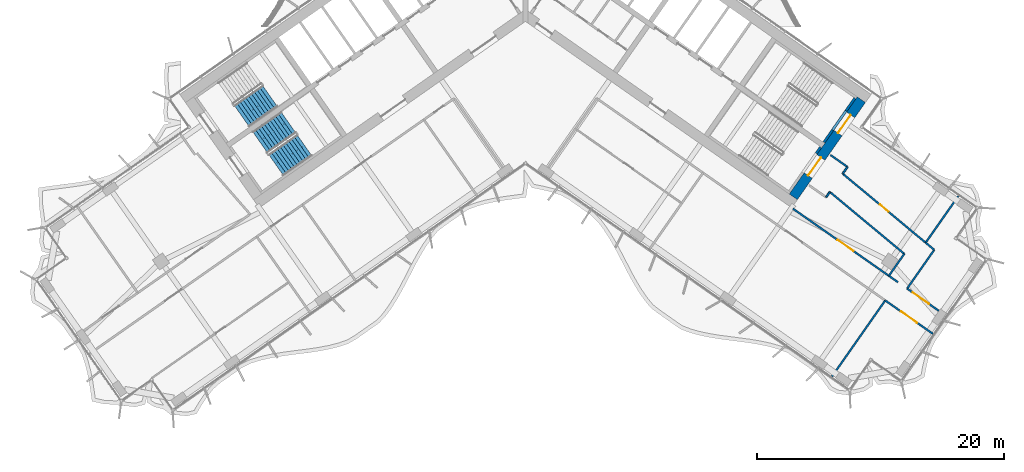
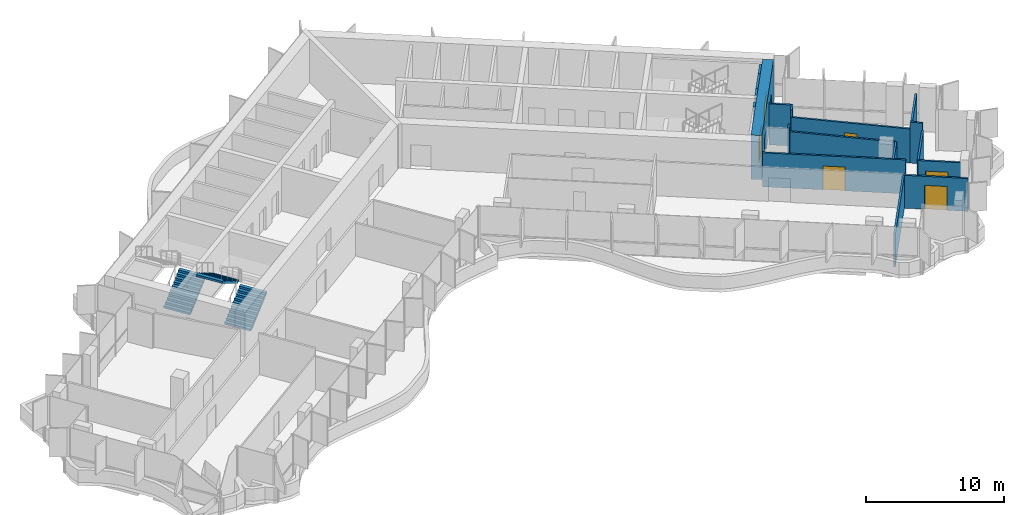
# One storey, part 15 of 21: 18 walls, 6 doors, 3 stair flights, 6 openings, 2 elements without a shape of their own.
"""IFC4 building model written with IfcOpenShell, lengths in metres."""

from ifc_helpers import new_model, si_unit, direction, frame, frame_2d, origin, place, context, subcontext, project, spatial, polyline, rectangle, outline, extrude, material, layer, layer_set, type_object, element, fill, aggregate, save


model = new_model("IFC4")

# Units and contexts
model_context = context("Model", 3, precision=1e-05, world=origin(), true_north=direction((0.0, 1.0)))
body_context = subcontext(model_context, "Body", "Model", "MODEL_VIEW")
ifc_project = project(units=[si_unit("LENGTHUNIT", "METRE"), si_unit("AREAUNIT", "SQUARE_METRE"), si_unit("VOLUMEUNIT", "CUBIC_METRE"), si_unit("PLANEANGLEUNIT", "RADIAN"), si_unit("MASSUNIT", "GRAM", prefix="KILO")], contexts=[model_context])

# Site, building, storey
site_placement = place(None, origin())
site = spatial("IfcSite", under=ifc_project, at=site_placement, CompositionType="ELEMENT")
building_placement = place(site_placement, origin())
building = spatial("IfcBuilding", under=site, at=building_placement, Name="Tel Ilan Convention Tower", CompositionType="ELEMENT")
storey_placement = place(building_placement, frame((0.0, 0.0, 151.5)))
storey = spatial("IfcBuildingStorey", under=building, at=storey_placement, Name="L34", CompositionType="ELEMENT", Elevation=151.5)

# Wall, openings, doors
ifc_material_1 = material(Name="Concrete C50/60", Category="concrete")
ifc_layer_1 = layer(ifc_material_1, 0.800048828125)
ifc_layer_set_1 = layer_set([ifc_layer_1], Name="Core Shear Wall 800 mm C50/60")
wall_type_1 = type_object("IfcWallType", Name="Core Shear Wall 800 mm C50/60", PredefinedType="SHEAR", material=ifc_layer_set_1)
wall_1_placement = place(storey_placement, frame((21.6748046875, -15.4208984375, 0.0), z_axis=(0.0, 0.0, 1.0), x_axis=(0.573581815061, 0.819148278049, 0.0)))
wall_1 = element("IfcWall", 1, at=wall_1_placement, inside=storey, type_object=wall_type_1, Name="L34 core wall E-end", PredefinedType="SHEAR", context=body_context, shape_type="SweptSolid", body=[
    extrude(outline(polyline([(9.599853515625, 0.400146484375), (0.0, 0.39990234375), (0.0, -0.39990234375), (9.599853515625, -0.39990234375), (9.599853515625, 0.400146484375)])), origin(), (0.0, 0.0, 1.0), 3.89990234375),
])
opening_1_placement = place(wall_1_placement, frame((6.300048828125, 0.0, 0.0)))
opening_1 = element("IfcOpeningElement", 2, at=opening_1_placement, cuts=wall_1, Name="Opening SD2703", PredefinedType="OPENING", context=body_context, shape_type="SweptSolid", body=[
    extrude(rectangle(XDim=1.800048828125, YDim=2.10009765625, at=frame_2d((0.89990234375, 1.050048828125))), frame((0.0, 0.409912109375, 0.0), z_axis=(0.0, -1.0, 0.0), x_axis=(1.0, 0.0, 0.0)), (0.0, 0.0, 1.0), 0.820068359375),
])
opening_2_placement = place(wall_1_placement, frame((2.10009765625, 0.0, 0.0)))
opening_2 = element("IfcOpeningElement", 3, at=opening_2_placement, cuts=wall_1, Name="Opening SD2704", PredefinedType="OPENING", context=body_context, shape_type="SweptSolid", body=[
    extrude(rectangle(XDim=1.800048828125, YDim=2.10009765625, at=frame_2d((0.89990234375, 1.050048828125))), frame((0.0, 0.409912109375, 0.0), z_axis=(0.0, -1.0, 0.0), x_axis=(1.0, 0.0, 0.0)), (0.0, 0.0, 1.0), 0.820068359375),
])
ifc_material_2 = material(Name="Galvanised Steel Door Leaf", Category="steel")
door_type_1 = type_object("IfcDoorType", Name="Stair Fire Door 1800 x 2100 FD60S", OperationType="NOTDEFINED", PredefinedType="DOOR", material=ifc_material_2)
door_1_placement = place(opening_1_placement, origin())
door_1 = element("IfcDoor", 4, at=door_1_placement, inside=storey, type_object=door_type_1, Name="Stair S3 door", OperationType="DOUBLE_DOOR_SINGLE_SWING", OverallHeight=2.10009765625, OverallWidth=1.800048828125, PredefinedType="DOOR", context=body_context, shape_type="SweptSolid", body=[
    extrude(rectangle(XDim=1.800048828125, YDim=2.10009765625, at=frame_2d((0.89990234375, 1.050048828125))), frame((0.0, 0.02490234375, 0.0), z_axis=(0.0, -1.0, 0.0), x_axis=(1.0, 0.0, 0.0)), (0.0, 0.0, 1.0), 0.050048828125),
])
fill(opening_1, door_1)
door_2_placement = place(opening_2_placement, origin())
door_2 = element("IfcDoor", 5, at=door_2_placement, inside=storey, type_object=door_type_1, Name="Stair S4 door", OperationType="DOUBLE_DOOR_SINGLE_SWING", OverallHeight=2.10009765625, OverallWidth=1.800048828125, PredefinedType="DOOR", context=body_context, shape_type="SweptSolid", body=[
    extrude(rectangle(XDim=1.800048828125, YDim=2.10009765625, at=frame_2d((0.89990234375, 1.050048828125))), frame((0.0, 0.02490234375, 0.0), z_axis=(0.0, -1.0, 0.0), x_axis=(1.0, 0.0, 0.0)), (0.0, 0.0, 1.0), 0.050048828125),
])
fill(opening_2, door_2)

# Wall, opening, door
ifc_material_3 = material(Name="Plasterboard on Steel Studs", Category="steel")
ifc_layer_2 = layer(ifc_material_3, 0.14990234375)
ifc_layer_set_2 = layer_set([ifc_layer_2], Name="Fire-rated Partition 150 EI 60")
wall_type_2 = type_object("IfcWallType", Name="Fire-rated Partition 150 EI 60", PredefinedType="PARTITIONING", material=ifc_layer_set_2)
wall_2_placement = place(storey_placement, frame((21.641845703125, -16.37451171875, 0.0), z_axis=(0.0, 0.0, 1.0), x_axis=(0.81915236897, -0.573575972658, 0.0)))
wall_2 = element("IfcWall", 6, at=wall_2_placement, inside=storey, type_object=wall_type_2, Name="Partition 001", PredefinedType="PARTITIONING", context=body_context, shape_type="SweptSolid", body=[
    extrude(rectangle(XDim=10.3818359375, YDim=0.14990234375, at=frame_2d((5.19091796875, 0.0))), origin(), (0.0, 0.0, 1.0), 3.0),
])
opening_3_placement = place(wall_2_placement, frame((4.39111328125, 0.0, 0.0)))
opening_3 = element("IfcOpeningElement", 7, at=opening_3_placement, cuts=wall_2, Name="Opening L33-012", PredefinedType="OPENING", context=body_context, shape_type="SweptSolid", body=[
    extrude(rectangle(XDim=1.60009765625, YDim=2.10009765625, at=frame_2d((0.800048828125, 1.050048828125))), frame((0.0, 0.0849609375, 0.0), z_axis=(0.0, -1.0, 0.0), x_axis=(1.0, 0.0, 0.0)), (0.0, 0.0, 1.0), 0.169921875),
])
ifc_material_4 = material(Name="Timber Door Leaf in Steel Frame", Category="steel")
door_type_2 = type_object("IfcDoorType", Name="Tenant Suite Entrance Fire Door 1600x2100", OperationType="NOTDEFINED", PredefinedType="DOOR", material=ifc_material_4)
door_3_placement = place(opening_3_placement, origin())
door_3 = element("IfcDoor", 8, at=door_3_placement, inside=storey, type_object=door_type_2, Name="Door L33-012", OperationType="DOUBLE_DOOR_SINGLE_SWING", OverallHeight=2.10009765625, OverallWidth=1.60009765625, PredefinedType="DOOR", context=body_context, shape_type="SweptSolid", body=[
    extrude(rectangle(XDim=1.60009765625, YDim=2.10009765625, at=frame_2d((0.800048828125, 1.050048828125))), frame((0.0, 0.02490234375, 0.0), z_axis=(0.0, -1.0, 0.0), x_axis=(1.0, 0.0, 0.0)), (0.0, 0.0, 1.0), 0.050048828125),
])
fill(opening_3, door_3)

wall_3_placement = place(storey_placement, frame((30.880126953125, -22.84326171875, 0.0), z_axis=(0.0, 0.0, 1.0), x_axis=(0.819133037421, -0.573603580015, 0.0)))
wall_3 = element("IfcWall", 9, at=wall_3_placement, inside=storey, type_object=wall_type_2, Name="Partition 002", PredefinedType="PARTITIONING", context=body_context, shape_type="SweptSolid", body=[
    extrude(rectangle(XDim=3.132080078125, YDim=0.14990234375, at=frame_2d((1.56591796875, 0.0))), origin(), (0.0, 0.0, 1.0), 3.0),
])
opening_4_placement = place(wall_3_placement, frame((0.56591796875, 0.0, 0.0)))
opening_4 = element("IfcOpeningElement", 10, at=opening_4_placement, cuts=wall_3, Name="Opening L33-013", PredefinedType="OPENING", context=body_context, shape_type="SweptSolid", body=[
    extrude(rectangle(XDim=1.60009765625, YDim=2.10009765625, at=frame_2d((0.800048828125, 1.050048828125))), frame((0.0, 0.0849609375, 0.0), z_axis=(0.0, -1.0, 0.0), x_axis=(1.0, 0.0, 0.0)), (0.0, 0.0, 1.0), 0.169921875),
])
door_4_placement = place(opening_4_placement, origin())
door_4 = element("IfcDoor", 11, at=door_4_placement, inside=storey, type_object=door_type_2, Name="Door L33-013", OperationType="DOUBLE_DOOR_SINGLE_SWING", OverallHeight=2.10009765625, OverallWidth=1.60009765625, PredefinedType="DOOR", context=body_context, shape_type="SweptSolid", body=[
    extrude(rectangle(XDim=1.60009765625, YDim=2.10009765625, at=frame_2d((0.800048828125, 1.050048828125))), frame((0.0, 0.02490234375, 0.0), z_axis=(0.0, -1.0, 0.0), x_axis=(1.0, 0.0, 0.0)), (0.0, 0.0, 1.0), 0.050048828125),
])
fill(opening_4, door_4)

wall_4_placement = place(storey_placement, frame((32.962158203125, -26.49853515625, 0.0), z_axis=(0.0, 0.0, 1.0), x_axis=(-0.819139214842, 0.573594758263, 0.0)))
wall_4 = element("IfcWall", 12, at=wall_4_placement, inside=storey, type_object=wall_type_2, Name="Partition 005", PredefinedType="PARTITIONING", context=body_context, shape_type="SweptSolid", body=[
    extrude(rectangle(XDim=4.701904296875, YDim=0.14990234375, at=frame_2d((2.35107421875, 0.0))), origin(), (0.0, 0.0, 1.0), 2.89990234375),
])
opening_5_placement = place(wall_4_placement, frame((1.551025390625, 0.0, 0.0)))
opening_5 = element("IfcOpeningElement", 13, at=opening_5_placement, cuts=wall_4, Name="Opening L33-011", PredefinedType="OPENING", context=body_context, shape_type="SweptSolid", body=[
    extrude(rectangle(XDim=1.60009765625, YDim=2.10009765625, at=frame_2d((0.800048828125, 1.050048828125))), frame((0.0, 0.0849609375, 0.0), z_axis=(0.0, -1.0, 0.0), x_axis=(1.0, 0.0, 0.0)), (0.0, 0.0, 1.0), 0.169921875),
])
door_5_placement = place(opening_5_placement, origin())
door_5 = element("IfcDoor", 14, at=door_5_placement, inside=storey, type_object=door_type_2, Name="Door L33-011", OperationType="DOUBLE_DOOR_SINGLE_SWING", OverallHeight=2.10009765625, OverallWidth=1.60009765625, PredefinedType="DOOR", context=body_context, shape_type="SweptSolid", body=[
    extrude(rectangle(XDim=1.60009765625, YDim=2.10009765625, at=frame_2d((0.800048828125, 1.050048828125))), frame((0.0, 0.02490234375, 0.0), z_axis=(0.0, -1.0, 0.0), x_axis=(1.0, 0.0, 0.0)), (0.0, 0.0, 1.0), 0.050048828125),
])
fill(opening_5, door_5)

# Wall
wall_5_placement = place(storey_placement, frame((35.02001953125, -15.365478515625, 0.0), z_axis=(0.0, 0.0, 1.0), x_axis=(-0.573604943476, -0.819132082646, 0.0)))
element("IfcWall", 15, at=wall_5_placement, inside=storey, type_object=wall_type_2, Name="Partition 012", PredefinedType="PARTITIONING", context=body_context, shape_type="SweptSolid", body=[
    extrude(rectangle(XDim=4.595947265625, YDim=0.14990234375, at=frame_2d((2.2978515625, 0.0))), origin(), (0.0, 0.0, 1.0), 2.89990234375),
])

# Wall, opening, door
wall_6_placement = place(storey_placement, frame((32.3837890625, -19.130126953125, 0.0), z_axis=(0.0, 0.0, 1.0), x_axis=(-0.768750532262, 0.639548762134, 0.0)))
wall_6 = element("IfcWall", 16, at=wall_6_placement, inside=storey, type_object=wall_type_2, Name="Partition 013", PredefinedType="PARTITIONING", context=body_context, shape_type="SweptSolid", body=[
    extrude(rectangle(XDim=8.72998046875, YDim=0.14990234375, at=frame_2d((4.364990234375, 0.0))), origin(), (0.0, 0.0, 1.0), 3.0),
])
opening_6_placement = place(wall_6_placement, frame((3.9150390625, 0.0, 0.0)))
opening_6 = element("IfcOpeningElement", 17, at=opening_6_placement, cuts=wall_6, Name="Opening L33-014", PredefinedType="OPENING", context=body_context, shape_type="SweptSolid", body=[
    extrude(rectangle(XDim=0.89990234375, YDim=2.10009765625, at=frame_2d((0.449951171875, 1.050048828125))), frame((0.0, 0.0849609375, 0.0), z_axis=(0.0, -1.0, 0.0), x_axis=(1.0, 0.0, 0.0)), (0.0, 0.0, 1.0), 0.169921875),
])
ifc_material_5 = material(Name="Timber Door Leaf in Steel Frame", Category="steel")
door_type_3 = type_object("IfcDoorType", Name="Room Fire Door 900x2100", OperationType="NOTDEFINED", PredefinedType="DOOR", material=ifc_material_5)
door_6_placement = place(opening_6_placement, origin())
door_6 = element("IfcDoor", 18, at=door_6_placement, inside=storey, type_object=door_type_3, Name="Door L33-014", OperationType="SINGLE_SWING_RIGHT", OverallHeight=2.10009765625, OverallWidth=0.89990234375, PredefinedType="DOOR", context=body_context, shape_type="SweptSolid", body=[
    extrude(rectangle(XDim=0.89990234375, YDim=2.10009765625, at=frame_2d((0.449951171875, 1.050048828125))), frame((0.0, 0.02490234375, 0.0), z_axis=(0.0, -1.0, 0.0), x_axis=(1.0, 0.0, 0.0)), (0.0, 0.0, 1.0), 0.050048828125),
])
fill(opening_6, door_6)

# Walls
wall_7_placement = place(storey_placement, frame((25.672607421875, -13.546875, 0.0), z_axis=(0.0, 0.0, 1.0), x_axis=(0.573511127478, 0.819197770175, 0.0)))
element("IfcWall", 19, at=wall_7_placement, inside=storey, type_object=wall_type_2, Name="Partition 014", PredefinedType="PARTITIONING", context=body_context, shape_type="SweptSolid", body=[
    extrude(rectangle(XDim=0.671630859375, YDim=0.14990234375, at=frame_2d((0.3359375, 0.0))), origin(), (0.0, 0.0, 1.0), 3.6201171875),
])
wall_8_placement = place(storey_placement, frame((26.057861328125, -12.99658203125, 0.0), z_axis=(0.0, 0.0, 1.0), x_axis=(-0.819109000826, 0.573637903879, 0.0)))
element("IfcWall", 20, at=wall_8_placement, inside=storey, type_object=wall_type_2, Name="Partition 015", PredefinedType="PARTITIONING", context=body_context, shape_type="SweptSolid", body=[
    extrude(rectangle(XDim=1.679931640625, YDim=0.14990234375, at=frame_2d((0.83984375, 0.0))), origin(), (0.0, 0.0, 1.0), 3.6201171875),
])
wall_9_placement = place(storey_placement, frame((24.337158203125, -15.4541015625, 0.0), z_axis=(0.0, 0.0, 1.0), x_axis=(0.573870335358, 0.818946175396, 0.0)))
element("IfcWall", 21, at=wall_9_placement, inside=storey, type_object=wall_type_2, Name="Partition 017", PredefinedType="PARTITIONING", context=body_context, shape_type="SweptSolid", body=[
    extrude(rectangle(XDim=0.52197265625, YDim=0.14990234375, at=frame_2d((0.260986328125, 0.0))), origin(), (0.0, 0.0, 1.0), 3.6201171875),
])
wall_10_placement = place(storey_placement, frame((24.63671875, -15.026611328125, 0.0), z_axis=(0.0, 0.0, 1.0), x_axis=(0.768763032688, -0.639533736071, 0.0)))
element("IfcWall", 22, at=wall_10_placement, inside=storey, type_object=wall_type_2, Name="Partition 018", PredefinedType="PARTITIONING", context=body_context, shape_type="SweptSolid", body=[
    extrude(rectangle(XDim=7.826904296875, YDim=0.14990234375, at=frame_2d((3.91357421875, 0.0))), origin(), (0.0, 0.0, 1.0), 3.0),
])
wall_11_placement = place(storey_placement, frame((30.65380859375, -20.0322265625, 0.0), z_axis=(0.0, 0.0, 1.0), x_axis=(-0.573613157475, -0.819126330655, 0.0)))
element("IfcWall", 23, at=wall_11_placement, inside=storey, type_object=wall_type_2, Name="Partition 019", PredefinedType="PARTITIONING", context=body_context, shape_type="SweptSolid", body=[
    extrude(rectangle(XDim=2.1728515625, YDim=0.14990234375, at=frame_2d((1.08642578125, 0.0))), origin(), (0.0, 0.0, 1.0), 3.0),
])
wall_12_placement = place(storey_placement, frame((30.8818359375, -22.844482421875, 0.0), z_axis=(0.0, 0.0, 1.0), x_axis=(0.573565036961, 0.819160026109, 0.0)))
element("IfcWall", 24, at=wall_12_placement, inside=storey, type_object=wall_type_2, Name="Partition 021", PredefinedType="PARTITIONING", context=body_context, shape_type="SweptSolid", body=[
    extrude(rectangle(XDim=3.8291015625, YDim=0.14990234375, at=frame_2d((1.91455078125, 0.0))), origin(), (0.0, 0.0, 1.0), 3.0),
])
wall_13_placement = place(storey_placement, frame((33.078125, -19.707763671875, 0.0), z_axis=(0.0, 0.0, 1.0), x_axis=(-0.768752765825, 0.639546077336, 0.0)))
element("IfcWall", 25, at=wall_13_placement, inside=storey, type_object=wall_type_2, Name="Partition 022", PredefinedType="PARTITIONING", context=body_context, shape_type="SweptSolid", body=[
    extrude(rectangle(XDim=0.903076171875, YDim=0.14990234375, at=frame_2d((0.45166015625, 0.0))), origin(), (0.0, 0.0, 1.0), 3.6201171875),
])
wall_14_placement = place(storey_placement, frame((29.1123046875, -23.802734375, 0.0), z_axis=(0.0, 0.0, 1.0), x_axis=(-0.573597787563, -0.819137093595, 0.0)))
element("IfcWall", 26, at=wall_14_placement, inside=storey, type_object=wall_type_2, Name="Partition 028", PredefinedType="PARTITIONING", context=body_context, shape_type="SweptSolid", body=[
    extrude(rectangle(XDim=7.5, YDim=0.14990234375, at=frame_2d((3.75, 0.0))), origin(), (0.0, 0.0, 1.0), 2.89990234375),
])
ifc_material_6 = material(Name="Concrete C30/37", Category="concrete")
ifc_layer_3 = layer(ifc_material_6, 0.199951171875)
ifc_layer_set_3 = layer_set([ifc_layer_3], Name="Stair and Shaft Lining Wall 200 mm C30/37")
wall_type_3 = type_object("IfcWallType", Name="Stair and Shaft Lining Wall 200 mm C30/37", PredefinedType="SOLIDWALL", material=ifc_layer_set_3)
wall_15_placement = place(storey_placement, frame((24.16162109375, -10.99755859375, 0.0), z_axis=(0.0, 0.0, 1.0), x_axis=(0.573612502218, 0.819126789514, 0.0)))
element("IfcWall", 27, at=wall_15_placement, inside=storey, type_object=wall_type_3, Name="L34 core wall lining-S3-u1-0", PredefinedType="SOLIDWALL", context=body_context, shape_type="SweptSolid", body=[
    extrude(rectangle(XDim=1.2001953125, YDim=0.199951171875, at=frame_2d((0.60009765625, 0.0))), origin(), (0.0, 0.0, 1.0), 3.6201171875),
])
wall_16_placement = place(storey_placement, frame((25.939697265625, -8.4580078125, 0.0), z_axis=(0.0, 0.0, 1.0), x_axis=(0.573619628835, 0.819121798889, 0.0)))
element("IfcWall", 28, at=wall_16_placement, inside=storey, type_object=wall_type_3, Name="L34 core wall lining-S3-u1-1", PredefinedType="SOLIDWALL", context=body_context, shape_type="SweptSolid", body=[
    extrude(rectangle(XDim=1.25, YDim=0.199951171875, at=frame_2d((0.625, 0.0))), origin(), (0.0, 0.0, 1.0), 3.6201171875),
])
wall_17_placement = place(storey_placement, frame((24.85009765625, -10.014404296875, 2.14990234375), z_axis=(0.0, 0.0, 1.0), x_axis=(0.573505465124, 0.819201734296, 0.0)))
element("IfcWall", 29, at=wall_17_placement, inside=storey, type_object=wall_type_3, Name="L34 core wall lining-S3-u1-lintel", PredefinedType="SOLIDWALL", context=body_context, shape_type="SweptSolid", body=[
    extrude(rectangle(XDim=1.89990234375, YDim=0.199951171875, at=frame_2d((0.949951171875, 0.0))), origin(), (0.0, 0.0, 1.0), 1.47021484375),
])
wall_18_placement = place(storey_placement, frame((23.53076171875, -11.8984375, 0.0), z_axis=(0.0, 0.0, 1.0), x_axis=(0.573708088123, 0.819059844958, 0.0)))
element("IfcWall", 30, at=wall_18_placement, inside=storey, type_object=wall_type_3, Name="L34 core wall lining-S4-u1-1", PredefinedType="SOLIDWALL", context=body_context, shape_type="SweptSolid", body=[
    extrude(rectangle(XDim=0.60009765625, YDim=0.199951171875, at=frame_2d((0.300048828125, 0.0))), origin(), (0.0, 0.0, 1.0), 3.6201171875),
])

# Stair, stair flight
ifc_material_7 = material(Name="Concrete C40/50", Category="concrete")
stair_type = type_object("IfcStairType", Name="Pressurised Exit Stair 22 risers 177 mm", PredefinedType="HALF_TURN_STAIR", material=ifc_material_7)
stair_1_placement = place(storey_placement, origin())
stair_1 = element("IfcStair", 31, at=stair_1_placement, inside=storey, type_object=stair_type, Name="L34 Pressurised Stair S1", PredefinedType="HALF_TURN_STAIR")
ifc_material_8 = material(Name="Precast Concrete C40/50", Category="concrete")
stair_flight_type = type_object("IfcStairFlightType", Name="Concrete Stair Flight 2100 mm 22 risers 177 mm", PredefinedType="STRAIGHT", material=ifc_material_8)
stair_flight_1_placement = place(storey_placement, frame((-22.9619140625, -8.87548828125, 0.0), z_axis=(0.0, 0.0, 1.0), x_axis=(0.819152044289, 0.573576436351, 0.0)))
stair_flight_1 = element("IfcStairFlight", 32, at=stair_flight_1_placement, type_object=stair_flight_type, Name="S1 flight 1", NumberOfRisers=11, NumberOfTreads=10, PredefinedType="STRAIGHT", RiserHeight=0.177272727, TreadLength=0.28, context=body_context, shape_type="SweptSolid", body=[
    extrude(outline(polyline([(0.0, 0.0), (0.0, 0.17724609375), (0.280029296875, 0.17724609375), (0.280029296875, 0.3544921875), (0.56005859375, 0.3544921875), (0.56005859375, 0.53173828125), (0.840087890625, 0.53173828125), (0.840087890625, 0.708984375), (1.1201171875, 0.708984375), (1.1201171875, 0.886474609375), (1.39990234375, 0.886474609375), (1.39990234375, 1.063720703125), (1.679931640625, 1.063720703125), (1.679931640625, 1.240966796875), (1.9599609375, 1.240966796875), (1.9599609375, 1.418212890625), (2.239990234375, 1.418212890625), (2.239990234375, 1.595458984375), (2.52001953125, 1.595458984375), (2.52001953125, 1.772705078125), (2.800048828125, 1.772705078125), (2.800048828125, 1.949951171875), (2.800048828125, 1.59521484375), (0.2802734375, 0.0), (0.0, 0.0)])), frame((0.0, -0.100341796875, 0.0), z_axis=(0.0, -1.0, 0.0), x_axis=(1.0, 0.0, 0.0)), (0.0, 0.0, 1.0), 0.94970703125),
    extrude(outline(polyline([(0.0, 0.0), (0.0, 0.17724609375), (0.280029296875, 0.17724609375), (0.280029296875, 0.3544921875), (0.56005859375, 0.3544921875), (0.56005859375, 0.53173828125), (0.840087890625, 0.53173828125), (0.840087890625, 0.708984375), (1.1201171875, 0.708984375), (1.1201171875, 0.886474609375), (1.39990234375, 0.886474609375), (1.39990234375, 1.063720703125), (1.679931640625, 1.063720703125), (1.679931640625, 1.240966796875), (1.9599609375, 1.240966796875), (1.9599609375, 1.418212890625), (2.239990234375, 1.418212890625), (2.239990234375, 1.595458984375), (2.52001953125, 1.595458984375), (2.52001953125, 1.772705078125), (2.800048828125, 1.772705078125), (2.800048828125, 1.949951171875), (2.800048828125, 1.59521484375), (0.2802734375, 0.0), (0.0, 0.0)])), frame((0.0, -0.000244140625, 0.0), z_axis=(0.0, -1.0, 0.0), x_axis=(1.0, 0.0, 0.0)), (0.0, 0.0, 1.0), 0.099609375),
    extrude(outline(polyline([(0.0, 0.0), (0.0, 0.17724609375), (0.280029296875, 0.17724609375), (0.280029296875, 0.3544921875), (0.56005859375, 0.3544921875), (0.56005859375, 0.53173828125), (0.840087890625, 0.53173828125), (0.840087890625, 0.708984375), (1.1201171875, 0.708984375), (1.1201171875, 0.886474609375), (1.39990234375, 0.886474609375), (1.39990234375, 1.063720703125), (1.679931640625, 1.063720703125), (1.679931640625, 1.240966796875), (1.9599609375, 1.240966796875), (1.9599609375, 1.418212890625), (2.239990234375, 1.418212890625), (2.239990234375, 1.595458984375), (2.52001953125, 1.595458984375), (2.52001953125, 1.772705078125), (2.800048828125, 1.772705078125), (2.800048828125, 1.949951171875), (2.800048828125, 1.59521484375), (0.2802734375, 0.0), (0.0, 0.0)])), frame((0.0, 0.099853515625, 0.0), z_axis=(0.0, -1.0, 0.0), x_axis=(1.0, 0.0, 0.0)), (0.0, 0.0, 1.0), 0.099609375),
    extrude(outline(polyline([(0.0, 0.0), (0.0, 0.17724609375), (0.280029296875, 0.17724609375), (0.280029296875, 0.3544921875), (0.56005859375, 0.3544921875), (0.56005859375, 0.53173828125), (0.840087890625, 0.53173828125), (0.840087890625, 0.708984375), (1.1201171875, 0.708984375), (1.1201171875, 0.886474609375), (1.39990234375, 0.886474609375), (1.39990234375, 1.063720703125), (1.679931640625, 1.063720703125), (1.679931640625, 1.240966796875), (1.9599609375, 1.240966796875), (1.9599609375, 1.418212890625), (2.239990234375, 1.418212890625), (2.239990234375, 1.595458984375), (2.52001953125, 1.595458984375), (2.52001953125, 1.772705078125), (2.800048828125, 1.772705078125), (2.800048828125, 1.949951171875), (2.800048828125, 1.59521484375), (0.2802734375, 0.0), (0.0, 0.0)])), frame((0.0, 1.050048828125, 0.0), z_axis=(0.0, -1.0, 0.0), x_axis=(1.0, 0.0, 0.0)), (0.0, 0.0, 1.0), 0.94970703125),
])
aggregate(stair_1, [stair_flight_1])

# Stair, stair flights
stair_2_placement = place(storey_placement, origin())
stair_2 = element("IfcStair", 33, at=stair_2_placement, inside=storey, type_object=stair_type, Name="L34 Pressurised Stair S2", PredefinedType="HALF_TURN_STAIR")
stair_flight_2_placement = place(storey_placement, frame((-20.179931640625, -12.848388671875, 0.0), z_axis=(0.0, 0.0, 1.0), x_axis=(0.819152044289, 0.573576436351, 0.0)))
stair_flight_2 = element("IfcStairFlight", 34, at=stair_flight_2_placement, type_object=stair_flight_type, Name="S2 flight 1", NumberOfRisers=11, NumberOfTreads=10, PredefinedType="STRAIGHT", RiserHeight=0.177272727, TreadLength=0.28, context=body_context, shape_type="SweptSolid", body=[
    extrude(outline(polyline([(0.0, 0.0), (0.0, 0.17724609375), (0.280029296875, 0.17724609375), (0.280029296875, 0.3544921875), (0.56005859375, 0.3544921875), (0.56005859375, 0.53173828125), (0.840087890625, 0.53173828125), (0.840087890625, 0.708984375), (1.1201171875, 0.708984375), (1.1201171875, 0.886474609375), (1.39990234375, 0.886474609375), (1.39990234375, 1.063720703125), (1.679931640625, 1.063720703125), (1.679931640625, 1.240966796875), (1.9599609375, 1.240966796875), (1.9599609375, 1.418212890625), (2.239990234375, 1.418212890625), (2.239990234375, 1.595458984375), (2.52001953125, 1.595458984375), (2.52001953125, 1.772705078125), (2.800048828125, 1.772705078125), (2.800048828125, 1.949951171875), (2.800048828125, 1.59521484375), (0.2802734375, 0.0), (0.0, 0.0)])), frame((0.0, -0.100341796875, 0.0), z_axis=(0.0, -1.0, 0.0), x_axis=(1.0, 0.0, 0.0)), (0.0, 0.0, 1.0), 0.94970703125),
    extrude(outline(polyline([(0.0, 0.0), (0.0, 0.17724609375), (0.280029296875, 0.17724609375), (0.280029296875, 0.3544921875), (0.56005859375, 0.3544921875), (0.56005859375, 0.53173828125), (0.840087890625, 0.53173828125), (0.840087890625, 0.708984375), (1.1201171875, 0.708984375), (1.1201171875, 0.886474609375), (1.39990234375, 0.886474609375), (1.39990234375, 1.063720703125), (1.679931640625, 1.063720703125), (1.679931640625, 1.240966796875), (1.9599609375, 1.240966796875), (1.9599609375, 1.418212890625), (2.239990234375, 1.418212890625), (2.239990234375, 1.595458984375), (2.52001953125, 1.595458984375), (2.52001953125, 1.772705078125), (2.800048828125, 1.772705078125), (2.800048828125, 1.949951171875), (2.800048828125, 1.59521484375), (0.2802734375, 0.0), (0.0, 0.0)])), frame((0.0, -0.000244140625, 0.0), z_axis=(0.0, -1.0, 0.0), x_axis=(1.0, 0.0, 0.0)), (0.0, 0.0, 1.0), 0.099609375),
    extrude(outline(polyline([(0.0, 0.0), (0.0, 0.17724609375), (0.280029296875, 0.17724609375), (0.280029296875, 0.3544921875), (0.56005859375, 0.3544921875), (0.56005859375, 0.53173828125), (0.840087890625, 0.53173828125), (0.840087890625, 0.708984375), (1.1201171875, 0.708984375), (1.1201171875, 0.886474609375), (1.39990234375, 0.886474609375), (1.39990234375, 1.063720703125), (1.679931640625, 1.063720703125), (1.679931640625, 1.240966796875), (1.9599609375, 1.240966796875), (1.9599609375, 1.418212890625), (2.239990234375, 1.418212890625), (2.239990234375, 1.595458984375), (2.52001953125, 1.595458984375), (2.52001953125, 1.772705078125), (2.800048828125, 1.772705078125), (2.800048828125, 1.949951171875), (2.800048828125, 1.59521484375), (0.2802734375, 0.0), (0.0, 0.0)])), frame((0.0, 0.099853515625, 0.0), z_axis=(0.0, -1.0, 0.0), x_axis=(1.0, 0.0, 0.0)), (0.0, 0.0, 1.0), 0.099609375),
    extrude(outline(polyline([(0.0, 0.0), (0.0, 0.17724609375), (0.280029296875, 0.17724609375), (0.280029296875, 0.3544921875), (0.56005859375, 0.3544921875), (0.56005859375, 0.53173828125), (0.840087890625, 0.53173828125), (0.840087890625, 0.708984375), (1.1201171875, 0.708984375), (1.1201171875, 0.886474609375), (1.39990234375, 0.886474609375), (1.39990234375, 1.063720703125), (1.679931640625, 1.063720703125), (1.679931640625, 1.240966796875), (1.9599609375, 1.240966796875), (1.9599609375, 1.418212890625), (2.239990234375, 1.418212890625), (2.239990234375, 1.595458984375), (2.52001953125, 1.595458984375), (2.52001953125, 1.772705078125), (2.800048828125, 1.772705078125), (2.800048828125, 1.949951171875), (2.800048828125, 1.59521484375), (0.2802734375, 0.0), (0.0, 0.0)])), frame((0.0, 1.050048828125, 0.0), z_axis=(0.0, -1.0, 0.0), x_axis=(1.0, 0.0, 0.0)), (0.0, 0.0, 1.0), 0.94970703125),
])
stair_flight_3_placement = place(storey_placement, frame((-19.177001953125, -9.399169921875, 1.949951171875), z_axis=(0.0, 0.0, 1.0), x_axis=(-0.819152044289, -0.573576436351, 0.0)))
stair_flight_3 = element("IfcStairFlight", 35, at=stair_flight_3_placement, type_object=stair_flight_type, Name="S2 flight 2", NumberOfRisers=11, NumberOfTreads=10, PredefinedType="STRAIGHT", RiserHeight=0.177272727, TreadLength=0.28, context=body_context, shape_type="SweptSolid", body=[
    extrude(outline(polyline([(0.0, 0.0), (0.0, 0.17724609375), (0.280029296875, 0.17724609375), (0.280029296875, 0.3544921875), (0.56005859375, 0.3544921875), (0.56005859375, 0.53173828125), (0.840087890625, 0.53173828125), (0.840087890625, 0.708984375), (1.1201171875, 0.708984375), (1.1201171875, 0.886474609375), (1.39990234375, 0.886474609375), (1.39990234375, 1.063720703125), (1.679931640625, 1.063720703125), (1.679931640625, 1.240966796875), (1.9599609375, 1.240966796875), (1.9599609375, 1.418212890625), (2.239990234375, 1.418212890625), (2.239990234375, 1.595458984375), (2.52001953125, 1.595458984375), (2.52001953125, 1.772705078125), (2.800048828125, 1.772705078125), (2.800048828125, 1.949951171875), (2.800048828125, 1.59521484375), (0.2802734375, 0.0), (0.0, 0.0)])), frame((0.0, -0.100341796875, 0.0), z_axis=(0.0, -1.0, 0.0), x_axis=(1.0, 0.0, 0.0)), (0.0, 0.0, 1.0), 0.94970703125),
    extrude(outline(polyline([(0.0, 0.0), (0.0, 0.17724609375), (0.280029296875, 0.17724609375), (0.280029296875, 0.3544921875), (0.56005859375, 0.3544921875), (0.56005859375, 0.53173828125), (0.840087890625, 0.53173828125), (0.840087890625, 0.708984375), (1.1201171875, 0.708984375), (1.1201171875, 0.886474609375), (1.39990234375, 0.886474609375), (1.39990234375, 1.063720703125), (1.679931640625, 1.063720703125), (1.679931640625, 1.240966796875), (1.9599609375, 1.240966796875), (1.9599609375, 1.418212890625), (2.239990234375, 1.418212890625), (2.239990234375, 1.595458984375), (2.52001953125, 1.595458984375), (2.52001953125, 1.772705078125), (2.800048828125, 1.772705078125), (2.800048828125, 1.949951171875), (2.800048828125, 1.59521484375), (0.2802734375, 0.0), (0.0, 0.0)])), frame((0.0, -0.000244140625, 0.0), z_axis=(0.0, -1.0, 0.0), x_axis=(1.0, 0.0, 0.0)), (0.0, 0.0, 1.0), 0.099609375),
    extrude(outline(polyline([(0.0, 0.0), (0.0, 0.17724609375), (0.280029296875, 0.17724609375), (0.280029296875, 0.3544921875), (0.56005859375, 0.3544921875), (0.56005859375, 0.53173828125), (0.840087890625, 0.53173828125), (0.840087890625, 0.708984375), (1.1201171875, 0.708984375), (1.1201171875, 0.886474609375), (1.39990234375, 0.886474609375), (1.39990234375, 1.063720703125), (1.679931640625, 1.063720703125), (1.679931640625, 1.240966796875), (1.9599609375, 1.240966796875), (1.9599609375, 1.418212890625), (2.239990234375, 1.418212890625), (2.239990234375, 1.595458984375), (2.52001953125, 1.595458984375), (2.52001953125, 1.772705078125), (2.800048828125, 1.772705078125), (2.800048828125, 1.949951171875), (2.800048828125, 1.59521484375), (0.2802734375, 0.0), (0.0, 0.0)])), frame((0.0, 0.099853515625, 0.0), z_axis=(0.0, -1.0, 0.0), x_axis=(1.0, 0.0, 0.0)), (0.0, 0.0, 1.0), 0.099609375),
    extrude(outline(polyline([(0.0, 0.0), (0.0, 0.17724609375), (0.280029296875, 0.17724609375), (0.280029296875, 0.3544921875), (0.56005859375, 0.3544921875), (0.56005859375, 0.53173828125), (0.840087890625, 0.53173828125), (0.840087890625, 0.708984375), (1.1201171875, 0.708984375), (1.1201171875, 0.886474609375), (1.39990234375, 0.886474609375), (1.39990234375, 1.063720703125), (1.679931640625, 1.063720703125), (1.679931640625, 1.240966796875), (1.9599609375, 1.240966796875), (1.9599609375, 1.418212890625), (2.239990234375, 1.418212890625), (2.239990234375, 1.595458984375), (2.52001953125, 1.595458984375), (2.52001953125, 1.772705078125), (2.800048828125, 1.772705078125), (2.800048828125, 1.949951171875), (2.800048828125, 1.59521484375), (0.2802734375, 0.0), (0.0, 0.0)])), frame((0.0, 1.050048828125, 0.0), z_axis=(0.0, -1.0, 0.0), x_axis=(1.0, 0.0, 0.0)), (0.0, 0.0, 1.0), 0.94970703125),
])
aggregate(stair_2, [stair_flight_2, stair_flight_3])

save(model, "model.ifc")
